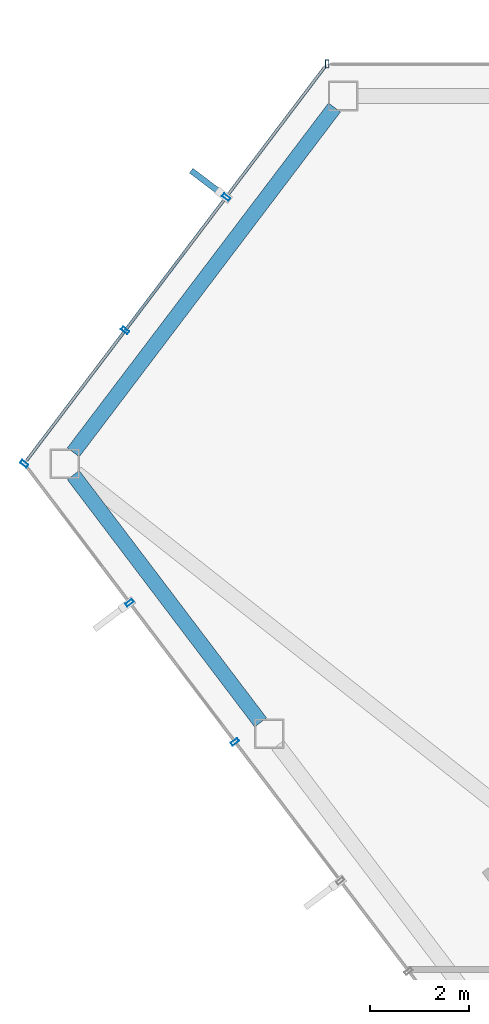
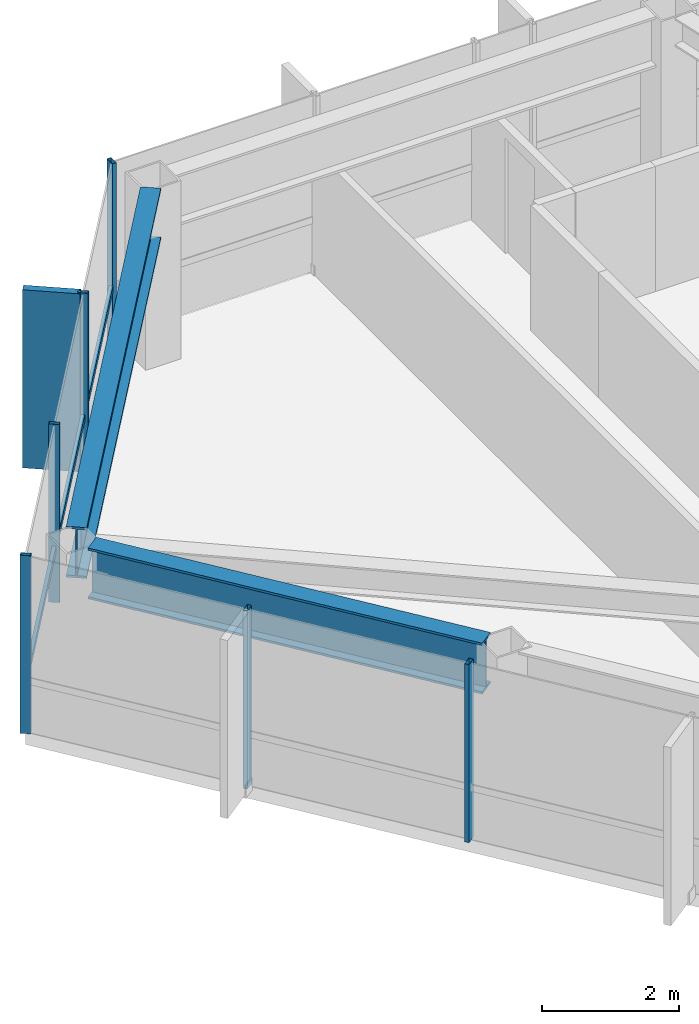
# One storey, part 9 of 25: 8 members, 2 beams, 3 elements without a shape of their own.
"""IFC4 building model written with IfcOpenShell, lengths in metres."""

from ifc_helpers import new_model, si_unit, direction, frame, origin, origin_2d, place, context, subcontext, project, spatial, rectangle, hollow_rectangle, i_section, extrude, material, layer, layer_set, material_profile, profile_set, type_object, element, aggregate, save


model = new_model("IFC4")

# Units and contexts
model_context = context("Model", 3, precision=1e-05, world=origin(), true_north=direction((0.0, 1.0)))
body_context = subcontext(model_context, "Body", "Model", "MODEL_VIEW")
ifc_project = project(units=[si_unit("LENGTHUNIT", "METRE"), si_unit("AREAUNIT", "SQUARE_METRE"), si_unit("VOLUMEUNIT", "CUBIC_METRE"), si_unit("PLANEANGLEUNIT", "RADIAN"), si_unit("MASSUNIT", "GRAM", prefix="KILO")], contexts=[model_context])

# Site, building, storey
site_placement = place(None, origin())
site = spatial("IfcSite", under=ifc_project, at=site_placement, CompositionType="ELEMENT")
building_placement = place(site_placement, origin())
building = spatial("IfcBuilding", under=site, at=building_placement, Name="Zarrinselat Tower", CompositionType="ELEMENT")
storey_placement = place(building_placement, frame((0.0, 0.0, 212.159912109375)))
storey = spatial("IfcBuildingStorey", under=building, at=storey_placement, Name="L52", CompositionType="ELEMENT", Elevation=212.159912109375)

# Beams
ifc_material_1 = material(Name="Steel S460M", Category="steel")
ifc_material_profile_1 = material_profile(ifc_material_1, i_section(OverallWidth=0.302001953125, OverallDepth=0.909912109375, WebThickness=0.02099609375, FlangeThickness=0.0400390625, at=origin_2d()), Name="HEM 900")
ifc_profile_set_1 = profile_set([ifc_material_profile_1], Name="Steel S460M")
beam_type = type_object("IfcBeamType", Name="BM-HEM900", PredefinedType="BEAM", material=ifc_profile_set_1)
beam_1_placement = place(storey_placement, frame((15.943115234375, 40.57666015625, 2.72509765625), z_axis=(0.603856610549, 0.7970929644, 0.0), x_axis=(-0.7970929644, 0.603856610549, 0.0)))
element("IfcBeam", 1, at=beam_1_placement, inside=storey, type_object=beam_type, Name="L52 Perimeter Spandrel Girder SP05", PredefinedType="BEAM", context=body_context, shape_type="SweptSolid", body=[
    extrude(i_section(OverallWidth=0.302001953125, OverallDepth=0.909912109375, WebThickness=0.02099609375, FlangeThickness=0.0400390625, at=origin_2d()), origin(), (0.0, 0.0, 1.0), 8.725341796875),
])
beam_2_placement = place(storey_placement, frame((15.943115234375, 40.117431640625, 2.72509765625), z_axis=(0.603844917099, -0.797101822914, 0.0), x_axis=(0.797101822914, 0.603844917099, 0.0)))
element("IfcBeam", 2, at=beam_2_placement, inside=storey, type_object=beam_type, Name="L52 Perimeter Spandrel Girder SP06", PredefinedType="BEAM", context=body_context, shape_type="SweptSolid", body=[
    extrude(i_section(OverallWidth=0.302001953125, OverallDepth=0.909912109375, WebThickness=0.02099609375, FlangeThickness=0.0400390625, at=origin_2d()), origin(), (0.0, 0.0, 1.0), 6.257080078125),
])

# Curtain wall, member
ifc_material_2 = material(Name="Extruded Aluminium Alloy EN AW-6063 T6", Category="aluminium")
ifc_layer = layer(ifc_material_2, 0.169921875)
ifc_layer_set = layer_set([ifc_layer], Name="Extruded Aluminium Alloy EN AW-6063 T6")
curtain_wall_type = type_object("IfcCurtainWallType", Name="CWS-RES", PredefinedType="NOTDEFINED", material=ifc_layer_set)
curtain_wall_1_placement = place(storey_placement, origin())
curtain_wall_1 = element("IfcCurtainWall", 3, at=curtain_wall_1_placement, inside=storey, type_object=curtain_wall_type, Name="L52 Unitised Curtain Wall CW-L52-E01", PredefinedType="NOTDEFINED")
ifc_material_3 = material(Name="Extruded Aluminium Alloy EN AW-6063 T6", Category="aluminium")
ifc_material_profile_2 = material_profile(ifc_material_3, hollow_rectangle(XDim=0.070068359375, YDim=0.159912109375, WallThickness=0.00390625, at=origin_2d()), Name="RHS 160x70x4")
ifc_profile_set_2 = profile_set([ifc_material_profile_2], Name="Extruded Aluminium Alloy EN AW-6063 T6")
member_type_1 = type_object("IfcMemberType", Name="MEM-CW-MUL2", PredefinedType="MULLION", material=ifc_profile_set_2)
member_1_placement = place(storey_placement, frame((21.062744140625, 48.4111328125, 0.0), z_axis=(0.0, 0.0, 1.0), x_axis=(-1.0, 0.0, 0.0)))
member_1 = element("IfcMember", 4, at=member_1_placement, type_object=member_type_1, Name="CW-L52-E01 Mullion 14", PredefinedType="MULLION", context=body_context, shape_type="SweptSolid", body=[
    extrude(hollow_rectangle(XDim=0.070068359375, YDim=0.159912109375, WallThickness=0.00390625, at=origin_2d()), origin(), (0.0, 0.0, 1.0), 3.18017578125),
])
aggregate(curtain_wall_1, [member_1])

# Curtain wall, members
curtain_wall_2_placement = place(storey_placement, origin())
curtain_wall_2 = element("IfcCurtainWall", 5, at=curtain_wall_2_placement, inside=storey, type_object=curtain_wall_type, Name="L52 Unitised Curtain Wall CW-L52-E02", PredefinedType="NOTDEFINED")
member_2_placement = place(storey_placement, frame((19.0263671875, 45.72314453125, 0.0), z_axis=(0.0, 0.0, 1.0), x_axis=(-0.603853501206, -0.797095319947, 0.0)))
member_2 = element("IfcMember", 6, at=member_2_placement, type_object=member_type_1, Name="CW-L52-E02 Mullion 1", PredefinedType="MULLION", context=body_context, shape_type="SweptSolid", body=[
    extrude(hollow_rectangle(XDim=0.070068359375, YDim=0.159912109375, WallThickness=0.00390625, at=origin_2d()), origin(), (0.0, 0.0, 1.0), 3.18017578125),
])
member_3_placement = place(storey_placement, frame((16.989990234375, 43.034912109375, 0.0), z_axis=(0.0, 0.0, 1.0), x_axis=(-0.603853501206, -0.797095319947, 0.0)))
member_3 = element("IfcMember", 7, at=member_3_placement, type_object=member_type_1, Name="CW-L52-E02 Mullion 2", PredefinedType="MULLION", context=body_context, shape_type="SweptSolid", body=[
    extrude(hollow_rectangle(XDim=0.070068359375, YDim=0.159912109375, WallThickness=0.00390625, at=origin_2d()), origin(), (0.0, 0.0, 1.0), 3.18017578125),
])
member_4_placement = place(storey_placement, frame((14.95361328125, 40.346923828125, 0.0), z_axis=(0.0, 0.0, 1.0), x_axis=(-0.603853501206, -0.797095319947, 0.0)))
member_4 = element("IfcMember", 8, at=member_4_placement, type_object=member_type_1, Name="CW-L52-E02 Mullion 3", PredefinedType="MULLION", context=body_context, shape_type="SweptSolid", body=[
    extrude(hollow_rectangle(XDim=0.070068359375, YDim=0.159912109375, WallThickness=0.00390625, at=origin_2d()), origin(), (0.0, 0.0, 1.0), 3.18017578125),
])

curtain_wall_3_placement = place(storey_placement, origin())
curtain_wall_3 = element("IfcCurtainWall", 9, at=curtain_wall_3_placement, inside=storey, type_object=curtain_wall_type, Name="L52 Unitised Curtain Wall CW-L52-E03", PredefinedType="NOTDEFINED")
member_5_placement = place(storey_placement, frame((17.078369140625, 37.54248046875, 0.0), z_axis=(0.0, 0.0, 1.0), x_axis=(0.603858850791, -0.797091267247, 0.0)))
member_5 = element("IfcMember", 10, at=member_5_placement, type_object=member_type_1, Name="CW-L52-E03 Mullion 1", PredefinedType="MULLION", context=body_context, shape_type="SweptSolid", body=[
    extrude(hollow_rectangle(XDim=0.070068359375, YDim=0.159912109375, WallThickness=0.00390625, at=origin_2d()), origin(), (0.0, 0.0, 1.0), 3.18017578125),
])
member_6_placement = place(storey_placement, frame((19.202880859375, 34.73779296875, 0.0), z_axis=(0.0, 0.0, 1.0), x_axis=(0.603858850791, -0.797091267247, 0.0)))
member_6 = element("IfcMember", 11, at=member_6_placement, type_object=member_type_1, Name="CW-L52-E03 Mullion 2", PredefinedType="MULLION", context=body_context, shape_type="SweptSolid", body=[
    extrude(hollow_rectangle(XDim=0.070068359375, YDim=0.159912109375, WallThickness=0.00390625, at=origin_2d()), origin(), (0.0, 0.0, 1.0), 3.18017578125),
])
aggregate(curtain_wall_3, [member_5, member_6])

# Member
ifc_material_4 = material(Name="Extruded Aluminium Alloy EN AW-6063 T6", Category="aluminium")
ifc_material_profile_3 = material_profile(ifc_material_4, hollow_rectangle(XDim=0.06005859375, YDim=0.1201171875, WallThickness=0.00390625, at=origin_2d()), Name="RHS 120x60x4")
ifc_profile_set_3 = profile_set([ifc_material_profile_3], Name="Extruded Aluminium Alloy EN AW-6063 T6")
member_type_2 = type_object("IfcMemberType", Name="MEM-CW-TRN2", PredefinedType="USERDEFINED", material=ifc_profile_set_3)
member_7_placement = place(storey_placement, frame((21.00830078125, 48.33935546875, 0.9501953125), z_axis=(-0.603857214963, -0.797092506512, 0.0), x_axis=(0.797092506512, -0.603857214963, 0.0)))
member_7 = element("IfcMember", 12, at=member_7_placement, type_object=member_type_2, Name="CW-L52-E02 Transom 1", ObjectType="TRANSOM", PredefinedType="USERDEFINED", context=body_context, shape_type="SweptSolid", body=[
    extrude(hollow_rectangle(XDim=0.06005859375, YDim=0.1201171875, WallThickness=0.00390625, at=origin_2d()), origin(), (0.0, 0.0, 1.0), 9.93701171875),
])

ifc_material_5 = material(Name="Honed Cream Travertine Stone", Category="masonry")
ifc_material_profile_4 = material_profile(ifc_material_5, rectangle(XDim=0.1201171875, YDim=0.85009765625, at=origin_2d()), Name="FIN 850x120")
ifc_profile_set_4 = profile_set([ifc_material_profile_4], Name="Honed Cream Travertine Stone")
member_type_3 = type_object("IfcMemberType", Name="MEM-STONE-FIN", PredefinedType="USERDEFINED", material=ifc_profile_set_4)
member_8_placement = place(storey_placement, frame((18.65966796875, 46.0009765625, 0.0), z_axis=(0.0, 0.0, 1.0), x_axis=(0.603853501206, 0.797095319947, 0.0)))
member_8 = element("IfcMember", 13, at=member_8_placement, type_object=member_type_3, Name="L52 Stone Shading Fin CW-L52-E02-01", ObjectType="FIN", PredefinedType="USERDEFINED", context=body_context, shape_type="SweptSolid", body=[
    extrude(rectangle(XDim=0.1201171875, YDim=0.85009765625, at=origin_2d()), origin(), (0.0, 0.0, 1.0), 3.18017578125),
])

aggregate(curtain_wall_2, [member_2, member_8, member_3, member_4, member_7])

save(model, "model.ifc")
